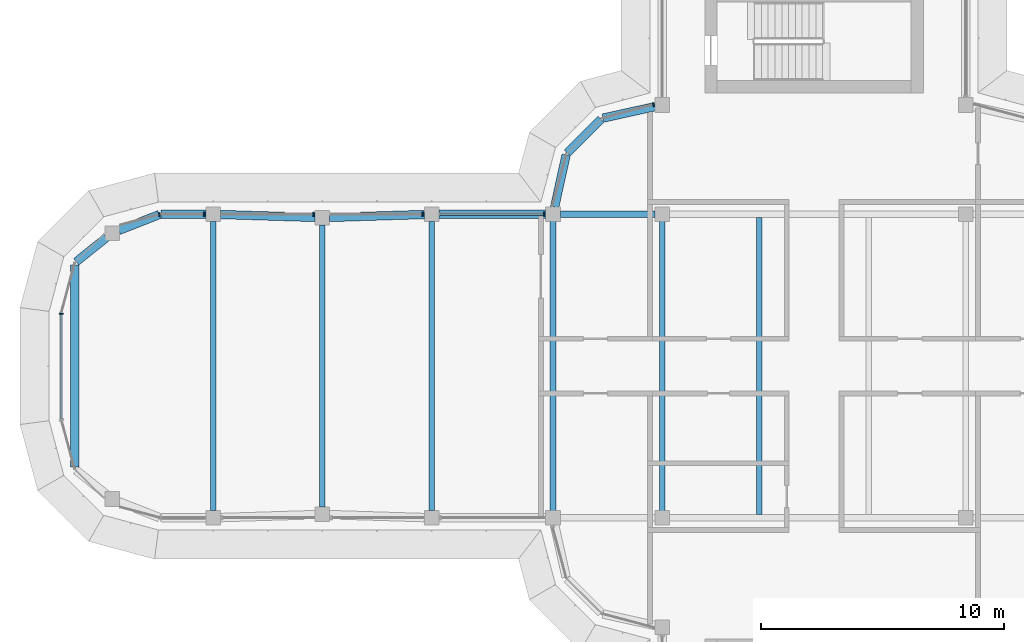
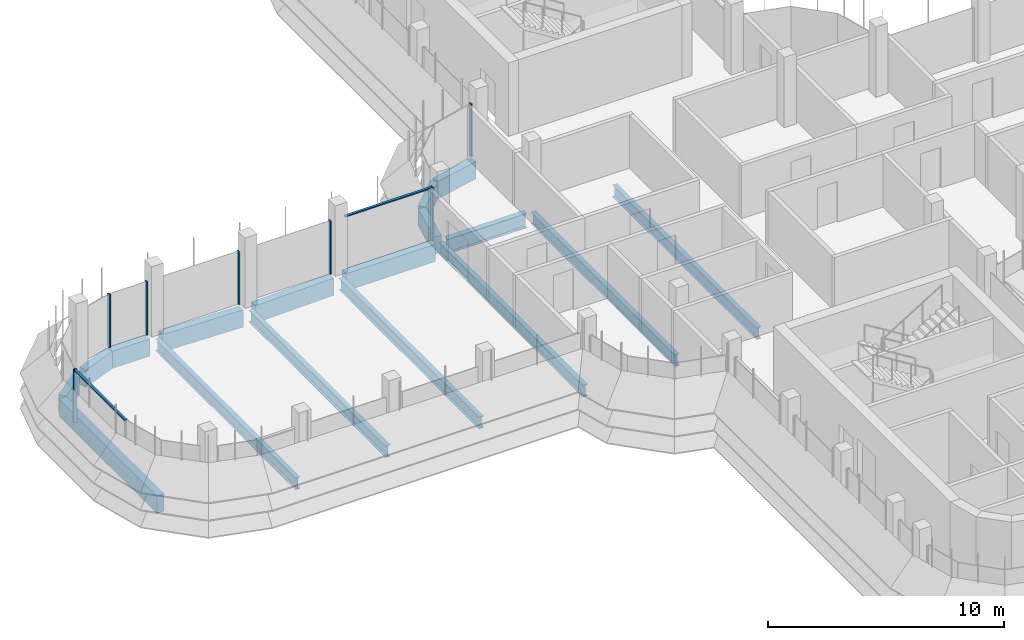
# One storey, part 6 of 20: 17 beams, 9 members, 4 elements without a shape of their own.
"""IFC4 building model written with IfcOpenShell, lengths in metres."""

from ifc_helpers import new_model, si_unit, direction, frame, origin, origin_2d, place, context, subcontext, project, spatial, polyline, rectangle, i_section, outline, extrude, source, transform, mapped, material, material_profile, profile_set, type_object, element, aggregate, save


model = new_model("IFC4")

# Units and contexts
model_context = context("Model", 3, precision=1e-05, world=origin(), true_north=direction((0.0, 1.0)))
body_context = subcontext(model_context, "Body", "Model", "MODEL_VIEW")
ifc_project = project(units=[si_unit("LENGTHUNIT", "METRE"), si_unit("AREAUNIT", "SQUARE_METRE"), si_unit("VOLUMEUNIT", "CUBIC_METRE"), si_unit("PLANEANGLEUNIT", "RADIAN"), si_unit("MASSUNIT", "GRAM", prefix="KILO")], contexts=[model_context])

# Site, building, storey
site_placement = place(None, origin())
site = spatial("IfcSite", under=ifc_project, at=site_placement, CompositionType="ELEMENT")
building_placement = place(site_placement, origin())
building = spatial("IfcBuilding", under=site, at=building_placement, Name="Zarbagh Exchange Tower", CompositionType="ELEMENT")
storey_placement = place(building_placement, frame((0.0, 0.0, 249.800048828125)))
storey = spatial("IfcBuildingStorey", under=building, at=storey_placement, Name="L61", CompositionType="ELEMENT", Elevation=249.800048828125)

# Beams
ifc_material_1 = material(Name="Steel ASTM A992 Gr 50", Category="steel")
ifc_material_profile_1 = material_profile(ifc_material_1, i_section(OverallWidth=0.228271484375, OverallDepth=0.607177734375, WebThickness=0.01123046875, FlangeThickness=0.017333984375, at=origin_2d()), Name="W24X76")
ifc_profile_set_1 = profile_set([ifc_material_profile_1], Name="Steel ASTM A992 Gr 50")
beam_type_1 = type_object("IfcBeamType", Name="Floor beam W24X76", PredefinedType="BEAM", material=ifc_profile_set_1)
for number, where, z_axis, x_axis, name in (
    (1, (-10.75, -6.11669921875, -0.45361328125), (0.0, 1.0, 0.0), (-1.0, 0.0, 0.0), "Steel floor beam"),
    (2, (-6.25, -6.11669921875, -0.45361328125), (0.0, 1.0, 0.0), (-1.0, 0.0, 0.0), "Steel floor beam"),
    (3, (-2.25, -6.11669921875, -0.45361328125), (0.0, 1.0, 0.0), (-1.0, 0.0, 0.0), "Steel floor beam"),
):
    element("IfcBeam", number, at=place(storey_placement, frame(where, z_axis=z_axis, x_axis=x_axis)), inside=storey, type_object=beam_type_1, Name=name, PredefinedType="BEAM", context=body_context, shape_type="SweptSolid", body=[
        extrude(i_section(OverallWidth=0.228271484375, OverallDepth=0.607177734375, WebThickness=0.01123046875, FlangeThickness=0.017333984375, at=origin_2d()), origin(), (0.0, 0.0, 1.0), 12.2333984375),
    ])
beam_1_placement = place(storey_placement, frame((-15.75, -5.949951171875, -0.45361328125), z_axis=(0.0, 1.0, 0.0), x_axis=(-1.0, 0.0, 0.0)))
element("IfcBeam", 4, at=beam_1_placement, inside=storey, type_object=beam_type_1, Name="Steel floor beam", PredefinedType="BEAM", context=body_context, shape_type="SweptSolid", body=[
    extrude(i_section(OverallWidth=0.228271484375, OverallDepth=0.607177734375, WebThickness=0.01123046875, FlangeThickness=0.017333984375, at=origin_2d()), origin(), (0.0, 0.0, 1.0), 11.89990234375),
])
beam_2_placement = place(storey_placement, frame((-20.25, -5.81005859375, -0.45361328125), z_axis=(0.0, 1.0, 0.0), x_axis=(-1.0, 0.0, 0.0)))
element("IfcBeam", 5, at=beam_2_placement, inside=storey, type_object=beam_type_1, Name="Steel floor beam", PredefinedType="BEAM", context=body_context, shape_type="SweptSolid", body=[
    extrude(i_section(OverallWidth=0.228271484375, OverallDepth=0.607177734375, WebThickness=0.01123046875, FlangeThickness=0.017333984375, at=origin_2d()), origin(), (0.0, 0.0, 1.0), 11.6201171875),
])
beam_3_placement = place(storey_placement, frame((-24.75, -5.949951171875, -0.45361328125), z_axis=(0.0, 1.0, 0.0), x_axis=(-1.0, 0.0, 0.0)))
element("IfcBeam", 6, at=beam_3_placement, inside=storey, type_object=beam_type_1, Name="Steel floor beam", PredefinedType="BEAM", context=body_context, shape_type="SweptSolid", body=[
    extrude(i_section(OverallWidth=0.228271484375, OverallDepth=0.607177734375, WebThickness=0.01123046875, FlangeThickness=0.017333984375, at=origin_2d()), origin(), (0.0, 0.0, 1.0), 11.89990234375),
])
ifc_material_profile_2 = material_profile(ifc_material_1, i_section(OverallWidth=0.2666015625, OverallDepth=0.7568359375, WebThickness=0.013916015625, FlangeThickness=0.019287109375, at=origin_2d()), Name="W30X108")
ifc_profile_set_2 = profile_set([ifc_material_profile_2], Name="Steel ASTM A992 Gr 50")
beam_type_2 = type_object("IfcBeamType", Name="Floor girder W30X108", PredefinedType="BEAM", material=ifc_profile_set_2)
beam_4_placement = place(storey_placement, frame((-10.449951171875, 6.25, -0.528564453125), z_axis=(1.0, 0.0, 0.0), x_axis=(0.0, 1.0, 0.0)))
element("IfcBeam", 7, at=beam_4_placement, inside=storey, type_object=beam_type_2, Name="Steel girder", PredefinedType="BEAM", context=body_context, shape_type="SweptSolid", body=[
    extrude(i_section(OverallWidth=0.2666015625, OverallDepth=0.7568359375, WebThickness=0.013916015625, FlangeThickness=0.019287109375, at=origin_2d()), origin(), (0.0, 0.0, 1.0), 3.89990234375),
])
ifc_material_2 = material(Name="Concrete C40/50", Category="concrete")
ifc_material_profile_3 = material_profile(ifc_material_2, rectangle(XDim=0.35009765625, YDim=0.89990234375, at=origin_2d()), Name="RC spandrel beam 350 x 900 C40/50")
ifc_profile_set_3 = profile_set([ifc_material_profile_3], Name="Concrete C40/50")
beam_type_3 = type_object("IfcBeamType", Name="RC spandrel beam 350 x 900 C40/50", PredefinedType="SPANDREL", material=ifc_profile_set_3)
beam_5_placement = place(storey_placement, frame((-30.44873046875, -4.156982421875, -0.60009765625), z_axis=(0.0, 1.0, 0.0), x_axis=(-1.0, 0.0, 0.0)))
element("IfcBeam", 8, at=beam_5_placement, inside=storey, type_object=beam_type_3, Name="RC spandrel beam", PredefinedType="SPANDREL", context=body_context, shape_type="SweptSolid", body=[
    extrude(rectangle(XDim=0.35009765625, YDim=0.89990234375, at=origin_2d()), origin(), (0.0, 0.0, 1.0), 8.31396484375),
])
beam_6_placement = place(storey_placement, frame((-30.38330078125, 4.293701171875, -0.60009765625), z_axis=(0.780584122498, 0.625050740104, 0.0), x_axis=(-0.625050740104, 0.780584122498, 0.0)))
element("IfcBeam", 9, at=beam_6_placement, inside=storey, type_object=beam_type_3, Name="RC spandrel beam", PredefinedType="SPANDREL", context=body_context, shape_type="SweptSolid", body=[
    extrude(rectangle(XDim=0.35009765625, YDim=0.89990234375, at=origin_2d()), origin(), (0.0, 0.0, 1.0), 1.590087890625),
])
beam_7_placement = place(storey_placement, frame((-28.62890625, 5.584716796875, -0.60009765625), z_axis=(0.930859366381, 0.365377667655, 0.0), x_axis=(-0.365377667655, 0.930859366381, 0.0)))
element("IfcBeam", 10, at=beam_7_placement, inside=storey, type_object=beam_type_3, Name="RC spandrel beam", PredefinedType="SPANDREL", context=body_context, shape_type="SweptSolid", body=[
    extrude(rectangle(XDim=0.35009765625, YDim=0.89990234375, at=origin_2d()), origin(), (0.0, 0.0, 1.0), 1.787353515625),
])
beam_8_placement = place(storey_placement, frame((-26.90087890625, 6.25, -0.60009765625), z_axis=(1.0, 0.0, 0.0), x_axis=(0.0, 1.0, 0.0)))
element("IfcBeam", 11, at=beam_8_placement, inside=storey, type_object=beam_type_3, Name="RC spandrel beam", PredefinedType="SPANDREL", context=body_context, shape_type="SweptSolid", body=[
    extrude(rectangle(XDim=0.35009765625, YDim=0.89990234375, at=origin_2d()), origin(), (0.0, 0.0, 1.0), 1.850830078125),
])
for number, where, z_axis, x_axis, name in (
    (12, (-24.4501953125, 6.24072265625, -0.60009765625), (0.999516460907, -0.031094121249, 0.0), (0.031094121249, 0.999516460907, 0.0), "RC spandrel beam"),
    (13, (-19.9501953125, 6.119384765625, -0.60009765625), (0.999516460907, 0.031094121249, 0.0), (-0.031094121249, 0.999516460907, 0.0), "RC spandrel beam"),
):
    element("IfcBeam", number, at=place(storey_placement, frame(where, z_axis=z_axis, x_axis=x_axis)), inside=storey, type_object=beam_type_3, Name=name, PredefinedType="SPANDREL", context=body_context, shape_type="SweptSolid", body=[
        extrude(rectangle(XDim=0.35009765625, YDim=0.89990234375, at=origin_2d()), origin(), (0.0, 0.0, 1.0), 3.90234375),
    ])
beam_9_placement = place(storey_placement, frame((-15.449951171875, 6.25, -0.60009765625), z_axis=(1.0, 0.0, 0.0), x_axis=(0.0, 1.0, 0.0)))
element("IfcBeam", 14, at=beam_9_placement, inside=storey, type_object=beam_type_3, Name="RC spandrel beam", PredefinedType="SPANDREL", context=body_context, shape_type="SweptSolid", body=[
    extrude(rectangle(XDim=0.35009765625, YDim=0.89990234375, at=origin_2d()), origin(), (0.0, 0.0, 1.0), 4.39990234375),
])
beam_10_placement = place(storey_placement, frame((-10.685302734375, 6.54296875, -0.60009765625), z_axis=(0.216025770228, 0.976387662047, 0.0), x_axis=(-0.976387662047, 0.216025770228, 0.0)))
element("IfcBeam", 15, at=beam_10_placement, inside=storey, type_object=beam_type_3, Name="RC spandrel beam", PredefinedType="SPANDREL", context=body_context, shape_type="SweptSolid", body=[
    extrude(rectangle(XDim=0.35009765625, YDim=0.89990234375, at=origin_2d()), origin(), (0.0, 0.0, 1.0), 2.200439453125),
])
beam_11_placement = place(storey_placement, frame((-10.16259765625, 8.77734375, -0.60009765625), z_axis=(0.707106781187, 0.707106781187, 0.0), x_axis=(-0.707106781187, 0.707106781187, 0.0)))
element("IfcBeam", 16, at=beam_11_placement, inside=storey, type_object=beam_type_3, Name="RC spandrel beam", PredefinedType="SPANDREL", context=body_context, shape_type="SweptSolid", body=[
    extrude(rectangle(XDim=0.35009765625, YDim=0.89990234375, at=origin_2d()), origin(), (0.0, 0.0, 1.0), 1.958984375),
])
beam_12_placement = place(storey_placement, frame((-8.69140625, 10.2099609375, -0.60009765625), z_axis=(0.976387662047, 0.216025770228, 0.0), x_axis=(-0.216025770228, 0.976387662047, 0.0)))
element("IfcBeam", 17, at=beam_12_placement, inside=storey, type_object=beam_type_3, Name="RC spandrel beam", PredefinedType="SPANDREL", context=body_context, shape_type="SweptSolid", body=[
    extrude(rectangle(XDim=0.35009765625, YDim=0.89990234375, at=origin_2d()), origin(), (0.0, 0.0, 1.0), 2.200439453125),
])

# Curtain wall, member
ifc_material_3 = material(Name="Anodised aluminium frame and glazing", Category="aluminium")
curtain_wall_type = type_object("IfcCurtainWallType", Name="CWB Ribbon glazing, upper zones", PredefinedType="NOTDEFINED", material=ifc_material_3)
curtain_wall_1_placement = place(storey_placement, origin())
curtain_wall_1 = element("IfcCurtainWall", 18, at=curtain_wall_1_placement, inside=storey, type_object=curtain_wall_type, Name="CWB29 curtain wall", PredefinedType="NOTDEFINED")
ifc_material_4 = material(Name="Anodised aluminium frame", Category="aluminium")
member_type_1 = type_object("IfcMemberType", Name="MUB Mullion, anodised aluminium frame", PredefinedType="MULLION", material=ifc_material_4)
shared_shape_1 = source(origin(), body_context, "Body", "SweptSolid", [
    extrude(outline(polyline([(0.0, -0.080078125), (0.06005859375, -0.080078125), (0.06005859375, 0.080078125), (0.0, 0.080078125), (0.0, -0.080078125)])), origin(), (0.0, 0.0, 1.0), 2.75),
])
placement = place(storey_placement, origin())
member_1 = element("IfcMember", 19, at=placement, type_object=member_type_1, Name="CWB29 mullion 1.1", PredefinedType="MULLION", context=body_context, shape_type="MappedRepresentation", body=[
    mapped(shared_shape_1, transform((-6.590087890625, 10.775146484375, 0.0), x_axis=(-0.965924289636, -0.258824779902, 0.0), y_axis=(0.258824779902, -0.965924289636, 0.0), z_axis=(0.0, 0.0, 1.0))),
])
aggregate(curtain_wall_1, [member_1])

# Curtain wall, members
curtain_wall_2_placement = place(storey_placement, origin())
curtain_wall_2 = element("IfcCurtainWall", 20, at=curtain_wall_2_placement, inside=storey, type_object=curtain_wall_type, Name="CWB58 curtain wall", PredefinedType="NOTDEFINED")
member_2 = element("IfcMember", 21, at=placement, type_object=member_type_1, Name="CWB58 mullion 1.1", PredefinedType="MULLION", context=body_context, shape_type="MappedRepresentation", body=[
    mapped(shared_shape_1, transform((-11.090087890625, 6.25, 0.0), x_axis=(-1.0, 0.0, 0.0), y_axis=(0.0, -1.0, 0.0), z_axis=(0.0, 0.0, 1.0))),
])
member_3 = element("IfcMember", 22, at=placement, type_object=member_type_1, Name="CWB58 mullion 2.1", PredefinedType="MULLION", context=body_context, shape_type="MappedRepresentation", body=[
    mapped(shared_shape_1, transform((-16.090087890625, 6.25, 0.0), x_axis=(-1.0, 0.0, 0.0), y_axis=(0.0, -1.0, 0.0), z_axis=(0.0, 0.0, 1.0))),
])
member_4 = element("IfcMember", 23, at=placement, type_object=member_type_1, Name="CWB58 mullion 3.1", PredefinedType="MULLION", context=body_context, shape_type="MappedRepresentation", body=[
    mapped(shared_shape_1, transform((-20.590087890625, 6.25, 0.0), x_axis=(-1.0, 0.0, 0.0), y_axis=(0.0, -1.0, 0.0), z_axis=(0.0, 0.0, 1.0))),
])
member_5 = element("IfcMember", 24, at=placement, type_object=member_type_1, Name="CWB58 mullion 4.1", PredefinedType="MULLION", context=body_context, shape_type="MappedRepresentation", body=[
    mapped(shared_shape_1, transform((-25.090087890625, 6.25, 0.0), x_axis=(-1.0, 0.0, 0.0), y_axis=(0.0, -1.0, 0.0), z_axis=(0.0, 0.0, 1.0))),
])

# Curtain wall, member
curtain_wall_3_placement = place(storey_placement, origin())
curtain_wall_3 = element("IfcCurtainWall", 25, at=curtain_wall_3_placement, inside=storey, type_object=curtain_wall_type, Name="CWB59 curtain wall", PredefinedType="NOTDEFINED")
member_6 = element("IfcMember", 26, at=placement, type_object=member_type_1, Name="CWB59 mullion 1.1", PredefinedType="MULLION", context=body_context, shape_type="MappedRepresentation", body=[
    mapped(shared_shape_1, transform((-26.93408203125, 6.25, 0.0), x_axis=(-0.965924289636, -0.258824779902, 0.0), y_axis=(0.258824779902, -0.965924289636, 0.0), z_axis=(0.0, 0.0, 1.0))),
])
aggregate(curtain_wall_3, [member_6])

# Curtain wall, members
curtain_wall_4_placement = place(storey_placement, origin())
curtain_wall_4 = element("IfcCurtainWall", 27, at=curtain_wall_4_placement, inside=storey, type_object=curtain_wall_type, Name="CWB66 curtain wall", PredefinedType="NOTDEFINED")
member_7 = element("IfcMember", 28, at=placement, type_object=member_type_1, Name="CWB66 mullion 1.1", PredefinedType="MULLION", context=body_context, shape_type="MappedRepresentation", body=[
    mapped(shared_shape_1, transform((-31.0, 2.18408203125, 0.0), x_axis=(0.0, -1.0, 0.0), y_axis=(1.0, 0.0, 0.0), z_axis=(0.0, 0.0, 1.0))),
])
member_type_2 = type_object("IfcMemberType", Name="TRB Transom, anodised aluminium frame", PredefinedType="USERDEFINED", material=ifc_material_4)
shared_shape_2 = source(origin(), body_context, "Body", "SweptSolid", [
    extrude(outline(polyline([(-0.06005859375, -0.06005859375), (0.0, -0.06005859375), (0.0, 0.06005859375), (-0.06005859375, 0.06005859375), (-0.06005859375, -0.06005859375)])), origin(), (0.0, 0.0, 1.0), 4.308349609375),
])
member_8 = element("IfcMember", 29, at=placement, type_object=member_type_2, Name="CWB66 transom 1.1", ObjectType="TRANSOM", PredefinedType="USERDEFINED", context=body_context, shape_type="MappedRepresentation", body=[
    mapped(shared_shape_2, transform((-31.0, 2.124267578125, 2.75), x_axis=(0.0, 0.0, 1.0), y_axis=(-1.0, 0.0, 0.0), z_axis=(0.0, -1.0, 0.0))),
])
aggregate(curtain_wall_4, [member_7, member_8])

# Member
shared_shape_3 = source(origin(), body_context, "Body", "SweptSolid", [
    extrude(outline(polyline([(-0.06005859375, -0.06005859375), (0.0, -0.06005859375), (0.0, 0.06005859375), (-0.06005859375, 0.06005859375), (-0.06005859375, -0.06005859375)])), origin(), (0.0, 0.0, 1.0), 4.260009765625),
])
member_9 = element("IfcMember", 30, at=placement, type_object=member_type_2, Name="CWB58 transom 1.1", ObjectType="TRANSOM", PredefinedType="USERDEFINED", context=body_context, shape_type="MappedRepresentation", body=[
    mapped(shared_shape_3, transform((-11.150146484375, 6.25, 2.75), x_axis=(0.0, 0.0, 1.0), y_axis=(0.0, 1.0, 0.0), z_axis=(-1.0, 0.0, 0.0))),
])

aggregate(curtain_wall_2, [member_2, member_9, member_3, member_4, member_5])

save(model, "model.ifc")
